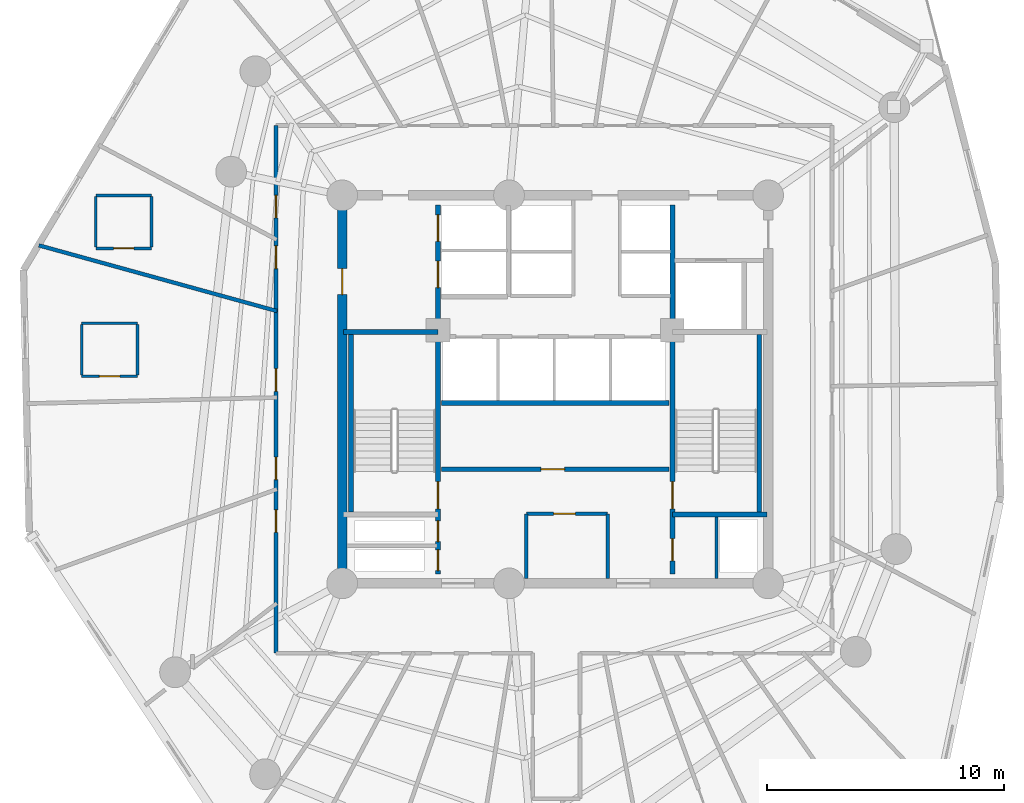
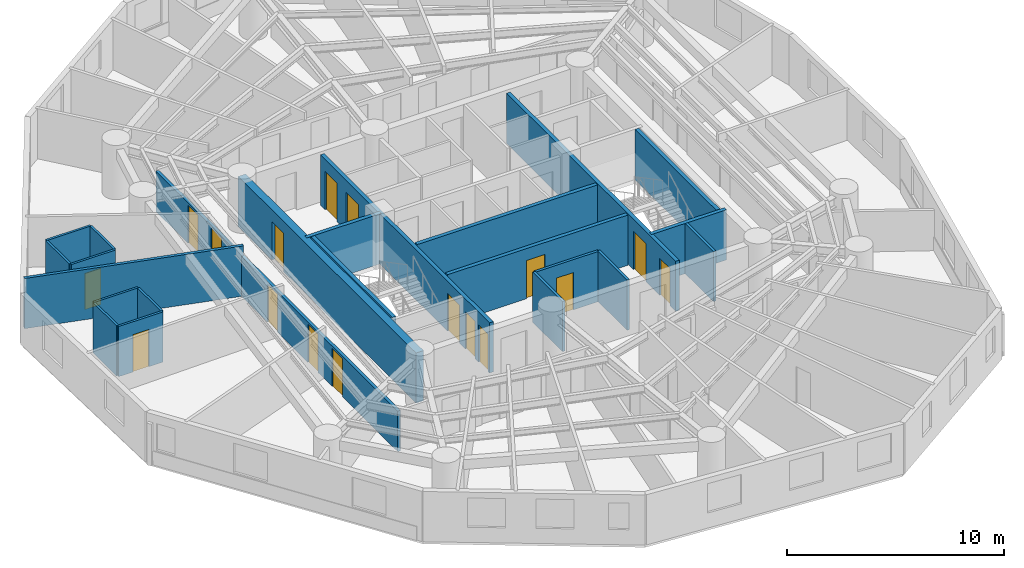
# One storey, part 4 of 9: 23 walls, 17 doors, 17 openings.
"""IFC4 building model written with IfcOpenShell, lengths in metres."""

from ifc_helpers import new_model, si_unit, direction, frame, frame_2d, origin, origin_with_axes, place, context, subcontext, project, spatial, rectangle, extrude, source, transform, mapped, material, layer, layer_set, type_object, element, fill, save


model = new_model("IFC4")

# Units and contexts
model_context = context("Model", 3, precision=1e-05, world=origin(), true_north=direction((0.0, 1.0)))
body_context = subcontext(model_context, "Body", "Model", "MODEL_VIEW")
ifc_project = project(units=[si_unit("LENGTHUNIT", "METRE"), si_unit("AREAUNIT", "SQUARE_METRE"), si_unit("VOLUMEUNIT", "CUBIC_METRE"), si_unit("PLANEANGLEUNIT", "RADIAN"), si_unit("MASSUNIT", "GRAM", prefix="KILO")], contexts=[model_context])

# Site, building, storey
site_placement = place(None, origin())
site = spatial("IfcSite", under=ifc_project, at=site_placement, CompositionType="ELEMENT")
building_placement = place(site_placement, origin())
building = spatial("IfcBuilding", under=site, at=building_placement, Name="Karkom Vertical University and Central Library", CompositionType="ELEMENT")
storey_placement = place(building_placement, frame((0.0, 0.0, 190.10009765625)))
storey = spatial("IfcBuildingStorey", under=building, at=storey_placement, Name="L55", CompositionType="ELEMENT", Elevation=190.10009765625)

# Wall, openings, doors
ifc_material_1 = material(Name="Insulated metal-stud drywall 160mm", Category="gypsum")
ifc_layer_1 = layer(ifc_material_1, 0.159912109375)
ifc_layer_set_1 = layer_set([ifc_layer_1], Name="Insulated metal-stud drywall 160mm")
wall_type_1 = type_object("IfcWallType", Name="INT-WL-COR-160", PredefinedType="PARTITIONING", material=ifc_layer_set_1)
wall_1_placement = place(storey_placement, frame((16.699951171875, 15.35009765625, 0.0), z_axis=(0.0, 0.0, 1.0), x_axis=(0.0, 1.0, 0.0)))
wall_1 = element("IfcWall", 1, at=wall_1_placement, inside=storey, type_object=wall_type_1, Name="Level 55 Interior Partition Wall L55-CORW-CW-002", PredefinedType="PARTITIONING", context=body_context, shape_type="SweptSolid", body=[
    extrude(rectangle(XDim=22.2998046875, YDim=0.159912109375, at=frame_2d((11.14990234375, 0.0))), origin(), (0.0, 0.0, 1.0), 2.27490234375),
])
opening_1_placement = place(wall_1_placement, frame((16.25, 0.0, 0.0)))
opening_1 = element("IfcOpeningElement", 2, at=opening_1_placement, cuts=wall_1, Name="Opening FD-RM2", PredefinedType="OPENING", context=body_context, shape_type="SweptSolid", body=[
    extrude(rectangle(XDim=0.9599609375, YDim=2.14990234375, at=frame_2d((0.47998046875, 1.074951171875))), frame((0.0, 0.08984375, 0.0), z_axis=(0.0, -1.0, 0.0), x_axis=(1.0, 0.0, 0.0)), (0.0, 0.0, 1.0), 0.179931640625),
])
opening_2_placement = place(wall_1_placement, frame((11.06494140625, 0.0, 0.0)))
opening_2 = element("IfcOpeningElement", 3, at=opening_2_placement, cuts=wall_1, Name="Opening FD-RM2", PredefinedType="OPENING", context=body_context, shape_type="SweptSolid", body=[
    extrude(rectangle(XDim=0.9599609375, YDim=2.14990234375, at=frame_2d((0.47998046875, 1.074951171875))), frame((0.0, 0.08984375, 0.0), z_axis=(0.0, -1.0, 0.0), x_axis=(1.0, 0.0, 0.0)), (0.0, 0.0, 1.0), 0.179931640625),
])
opening_3_placement = place(wall_1_placement, frame((7.330078125, 0.0, 0.0)))
opening_3 = element("IfcOpeningElement", 4, at=opening_3_placement, cuts=wall_1, Name="Opening FD-RM2", PredefinedType="OPENING", context=body_context, shape_type="SweptSolid", body=[
    extrude(rectangle(XDim=0.9599609375, YDim=2.14990234375, at=frame_2d((0.47998046875, 1.074951171875))), frame((0.0, 0.08984375, 0.0), z_axis=(0.0, -1.0, 0.0), x_axis=(1.0, 0.0, 0.0)), (0.0, 0.0, 1.0), 0.179931640625),
])
opening_4_placement = place(wall_1_placement, frame((5.10009765625, 0.0, 0.0)))
opening_4 = element("IfcOpeningElement", 5, at=opening_4_placement, cuts=wall_1, Name="Opening FD-RM2", PredefinedType="OPENING", context=body_context, shape_type="SweptSolid", body=[
    extrude(rectangle(XDim=0.9599609375, YDim=2.14990234375, at=frame_2d((0.47998046875, 1.074951171875))), frame((0.0, 0.08984375, 0.0), z_axis=(0.0, -1.0, 0.0), x_axis=(1.0, 0.0, 0.0)), (0.0, 0.0, 1.0), 0.179931640625),
])
opening_5_placement = place(wall_1_placement, frame((18.392333984375, 0.0, 0.0)))
opening_5 = element("IfcOpeningElement", 6, at=opening_5_placement, cuts=wall_1, Name="Opening FD-RM2", PredefinedType="OPENING", context=body_context, shape_type="SweptSolid", body=[
    extrude(rectangle(XDim=0.9599609375, YDim=2.14990234375, at=frame_2d((0.47998046875, 1.074951171875))), frame((0.0, 0.08984375, 0.0), z_axis=(0.0, -1.0, 0.0), x_axis=(1.0, 0.0, 0.0)), (0.0, 0.0, 1.0), 0.179931640625),
])
ifc_material_2 = material(Name="Fire-rated oak veneer door", Category="wood")
door_type_1 = type_object("IfcDoorType", Name="INT-DR-FRM2", OperationType="NOTDEFINED", PredefinedType="DOOR", material=ifc_material_2)
shared_shape_1 = source(origin_with_axes(), body_context, "Body", "SweptSolid", [
    extrude(rectangle(XDim=0.9599609375, YDim=2.14990234375, at=frame_2d((0.47998046875, 1.074951171875))), frame((0.0, 0.02490234375, 0.0), z_axis=(0.0, -1.0, 0.0), x_axis=(1.0, 0.0, 0.0)), (0.0, 0.0, 1.0), 0.050048828125),
])
door_1_placement = place(opening_1_placement, origin())
door_1 = element("IfcDoor", 7, at=door_1_placement, inside=storey, type_object=door_type_1, Name="Level 55 Room Entry Door 250", OperationType="SINGLE_SWING_LEFT", OverallHeight=2.14990234375, OverallWidth=0.9599609375, PredefinedType="DOOR", context=body_context, shape_type="MappedRepresentation", body=[
    mapped(shared_shape_1, transform((0.0, 0.0, 0.0), scale=1.0)),
])
fill(opening_1, door_1)
door_2_placement = place(opening_2_placement, origin())
door_2 = element("IfcDoor", 8, at=door_2_placement, inside=storey, type_object=door_type_1, Name="Level 55 Room Entry Door 260", OperationType="SINGLE_SWING_LEFT", OverallHeight=2.14990234375, OverallWidth=0.9599609375, PredefinedType="DOOR", context=body_context, shape_type="MappedRepresentation", body=[
    mapped(shared_shape_1, transform((0.0, 0.0, 0.0), scale=1.0)),
])
fill(opening_2, door_2)
door_3_placement = place(opening_3_placement, origin())
door_3 = element("IfcDoor", 9, at=door_3_placement, inside=storey, type_object=door_type_1, Name="Level 55 Room Entry Door 001", OperationType="SINGLE_SWING_RIGHT", OverallHeight=2.14990234375, OverallWidth=0.9599609375, PredefinedType="DOOR", context=body_context, shape_type="MappedRepresentation", body=[
    mapped(shared_shape_1, transform((0.0, 0.0, 0.0), scale=1.0)),
])
fill(opening_3, door_3)
door_4_placement = place(opening_4_placement, origin())
door_4 = element("IfcDoor", 10, at=door_4_placement, inside=storey, type_object=door_type_1, Name="Level 55 Room Entry Door 011", OperationType="SINGLE_SWING_LEFT", OverallHeight=2.14990234375, OverallWidth=0.9599609375, PredefinedType="DOOR", context=body_context, shape_type="MappedRepresentation", body=[
    mapped(shared_shape_1, transform((0.0, 0.0, 0.0), scale=1.0)),
])
fill(opening_4, door_4)
door_5_placement = place(opening_5_placement, origin())
door_5 = element("IfcDoor", 11, at=door_5_placement, inside=storey, type_object=door_type_1, Name="Level 55 Room Entry Door 241", OperationType="SINGLE_SWING_RIGHT", OverallHeight=2.14990234375, OverallWidth=0.9599609375, PredefinedType="DOOR", context=body_context, shape_type="MappedRepresentation", body=[
    mapped(shared_shape_1, transform((0.0, 0.0, 0.0), scale=1.0)),
])
fill(opening_5, door_5)

# Wall
wall_2_placement = place(storey_placement, frame((16.743408203125, 29.807373046875, 0.0), z_axis=(0.0, 0.0, 1.0), x_axis=(-0.963952503932, 0.266074369611, 0.0)))
element("IfcWall", 12, at=wall_2_placement, inside=storey, type_object=wall_type_1, Name="Level 55 Interior Partition Wall L55-PW-033", PredefinedType="PARTITIONING", context=body_context, shape_type="SweptSolid", body=[
    extrude(rectangle(XDim=10.43994140625, YDim=0.159912109375, at=frame_2d((5.219970703125, 0.0))), origin(), (0.0, 0.0, 1.0), 2.824951171875),
])

# Wall, opening, door
ifc_material_3 = material(Name="Moisture-resistant drywall 120mm", Category="gypsum")
ifc_layer_2 = layer(ifc_material_3, 0.1201171875)
ifc_layer_set_2 = layer_set([ifc_layer_2], Name="Moisture-resistant drywall 120mm")
wall_type_2 = type_object("IfcWallType", Name="INT-WL-INT-120F", PredefinedType="PARTITIONING", material=ifc_layer_set_2)
wall_3_placement = place(storey_placement, frame((9.0859375, 32.45703125, 0.0), z_axis=(0.0, 0.0, 1.0), x_axis=(1.0, 0.0, 0.0)))
wall_3 = element("IfcWall", 13, at=wall_3_placement, inside=storey, type_object=wall_type_2, Name="Level 55 Interior Partition Wall L55-ENS-25-S", PredefinedType="PARTITIONING", context=body_context, shape_type="SweptSolid", body=[
    extrude(rectangle(XDim=2.360107421875, YDim=0.1201171875, at=frame_2d((1.18017578125, 0.0))), origin(), (0.0, 0.0, 1.0), 2.824951171875),
])
opening_6_placement = place(wall_3_placement, frame((0.75, 0.0, 0.0)))
opening_6 = element("IfcOpeningElement", 14, at=opening_6_placement, cuts=wall_3, Name="Opening D-BTH2", PredefinedType="OPENING", context=body_context, shape_type="SweptSolid", body=[
    extrude(rectangle(XDim=0.860107421875, YDim=2.0400390625, at=frame_2d((0.43017578125, 1.02001953125))), frame((0.0, 0.070068359375, 0.0), z_axis=(0.0, -1.0, 0.0), x_axis=(1.0, 0.0, 0.0)), (0.0, 0.0, 1.0), 0.14013671875),
])
ifc_material_4 = material(Name="Moisture-resistant oak door", Category="wood")
door_type_2 = type_object("IfcDoorType", Name="INT-DR-DBTH2", OperationType="NOTDEFINED", PredefinedType="DOOR", material=ifc_material_4)
shared_shape_2 = source(origin_with_axes(), body_context, "Body", "SweptSolid", [
    extrude(rectangle(XDim=0.860107421875, YDim=2.0400390625, at=frame_2d((0.43017578125, 1.02001953125))), frame((0.0, 0.02490234375, 0.0), z_axis=(0.0, -1.0, 0.0), x_axis=(1.0, 0.0, 0.0)), (0.0, 0.0, 1.0), 0.050048828125),
])
door_6_placement = place(opening_6_placement, origin())
door_6 = element("IfcDoor", 15, at=door_6_placement, inside=storey, type_object=door_type_2, Name="Level 55 En-Suite Bathroom Door 25", OperationType="SINGLE_SWING_RIGHT", OverallHeight=2.0400390625, OverallWidth=0.860107421875, PredefinedType="DOOR", context=body_context, shape_type="MappedRepresentation", body=[
    mapped(shared_shape_2, transform((0.0, 0.0, 0.0), scale=1.0)),
])
fill(opening_6, door_6)

# Wall
wall_4_placement = place(storey_placement, frame((11.446044921875, 34.697021484375, 0.0), z_axis=(0.0, 0.0, 1.0), x_axis=(-1.0, 0.0, 0.0)))
element("IfcWall", 16, at=wall_4_placement, inside=storey, type_object=wall_type_2, Name="Level 55 Interior Partition Wall L55-ENS-25-N", PredefinedType="PARTITIONING", context=body_context, shape_type="SweptSolid", body=[
    extrude(rectangle(XDim=2.360107421875, YDim=0.1201171875, at=frame_2d((1.18017578125, 0.0))), origin(), (0.0, 0.0, 1.0), 2.824951171875),
])

# Wall, opening, door
wall_5_placement = place(storey_placement, frame((8.489990234375, 27.054931640625, 0.0), z_axis=(0.0, 0.0, 1.0), x_axis=(1.0, 0.0, 0.0)))
wall_5 = element("IfcWall", 17, at=wall_5_placement, inside=storey, type_object=wall_type_2, Name="Level 55 Interior Partition Wall L55-ENS-26-S", PredefinedType="PARTITIONING", context=body_context, shape_type="SweptSolid", body=[
    extrude(rectangle(XDim=2.360107421875, YDim=0.1201171875, at=frame_2d((1.18017578125, 0.0))), origin(), (0.0, 0.0, 1.0), 2.824951171875),
])
opening_7_placement = place(wall_5_placement, frame((0.75, 0.0, 0.0)))
opening_7 = element("IfcOpeningElement", 18, at=opening_7_placement, cuts=wall_5, Name="Opening D-BATH", PredefinedType="OPENING", context=body_context, shape_type="SweptSolid", body=[
    extrude(rectangle(XDim=0.860107421875, YDim=2.10009765625, at=frame_2d((0.43017578125, 1.050048828125))), frame((0.0, 0.070068359375, 0.0), z_axis=(0.0, -1.0, 0.0), x_axis=(1.0, 0.0, 0.0)), (0.0, 0.0, 1.0), 0.14013671875),
])
door_type_3 = type_object("IfcDoorType", Name="INT-DR-BATH", OperationType="NOTDEFINED", PredefinedType="DOOR", material=ifc_material_4)
shared_shape_3 = source(origin_with_axes(), body_context, "Body", "SweptSolid", [
    extrude(rectangle(XDim=0.860107421875, YDim=2.10009765625, at=frame_2d((0.43017578125, 1.050048828125))), frame((0.0, 0.02490234375, 0.0), z_axis=(0.0, -1.0, 0.0), x_axis=(1.0, 0.0, 0.0)), (0.0, 0.0, 1.0), 0.050048828125),
])
door_7_placement = place(opening_7_placement, origin())
door_7 = element("IfcDoor", 19, at=door_7_placement, inside=storey, type_object=door_type_3, Name="Level 55 En-Suite Bathroom Door 26", OperationType="SINGLE_SWING_RIGHT", OverallHeight=2.10009765625, OverallWidth=0.860107421875, PredefinedType="DOOR", context=body_context, shape_type="MappedRepresentation", body=[
    mapped(shared_shape_3, transform((0.0, 0.0, 0.0), scale=1.0)),
])
fill(opening_7, door_7)

# Walls
wall_6_placement = place(storey_placement, frame((10.85009765625, 29.294921875, 0.0), z_axis=(0.0, 0.0, 1.0), x_axis=(-1.0, 0.0, 0.0)))
element("IfcWall", 20, at=wall_6_placement, inside=storey, type_object=wall_type_2, Name="Level 55 Interior Partition Wall L55-ENS-26-N", PredefinedType="PARTITIONING", context=body_context, shape_type="SweptSolid", body=[
    extrude(rectangle(XDim=2.360107421875, YDim=0.1201171875, at=frame_2d((1.18017578125, 0.0))), origin(), (0.0, 0.0, 1.0), 2.824951171875),
])
for number, where, z_axis, x_axis, name in (
    (21, (11.446044921875, 32.507080078125, 0.0), (0.0, 0.0, 1.0), (0.0, 1.0, 0.0), "Level 55 Interior Partition Wall L55-ENS-25-E"),
    (22, (9.0859375, 34.64697265625, 0.0), (0.0, 0.0, 1.0), (0.0, -1.0, 0.0), "Level 55 Interior Partition Wall L55-ENS-25-W"),
):
    element("IfcWall", number, at=place(storey_placement, frame(where, z_axis=z_axis, x_axis=x_axis)), inside=storey, type_object=wall_type_2, Name=name, PredefinedType="PARTITIONING", context=body_context, shape_type="SweptSolid", body=[
        extrude(rectangle(XDim=2.139892578125, YDim=0.1201171875, at=frame_2d((1.06982421875, 0.0))), origin(), (0.0, 0.0, 1.0), 2.824951171875),
    ])
for number, where, z_axis, x_axis, name in (
    (23, (10.85009765625, 27.10498046875, 0.0), (0.0, 0.0, 1.0), (0.0, 1.0, 0.0), "Level 55 Interior Partition Wall L55-ENS-26-E"),
    (24, (8.489990234375, 29.2451171875, 0.0), (0.0, 0.0, 1.0), (0.0, -1.0, 0.0), "Level 55 Interior Partition Wall L55-ENS-26-W"),
):
    element("IfcWall", number, at=place(storey_placement, frame(where, z_axis=z_axis, x_axis=x_axis)), inside=storey, type_object=wall_type_2, Name=name, PredefinedType="PARTITIONING", context=body_context, shape_type="SweptSolid", body=[
        extrude(rectangle(XDim=2.14013671875, YDim=0.1201171875, at=frame_2d((1.070068359375, 0.0))), origin(), (0.0, 0.0, 1.0), 2.824951171875),
    ])

# Wall, opening, door
ifc_material_5 = material(Name="Metal-stud gypsum partition 140mm", Category="gypsum")
ifc_layer_3 = layer(ifc_material_5, 0.139892578125)
ifc_layer_set_3 = layer_set([ifc_layer_3], Name="Metal-stud gypsum partition 140mm")
wall_type_3 = type_object("IfcWallType", Name="INT-WL-SUB-140", PredefinedType="PARTITIONING", material=ifc_layer_set_3)
wall_7_placement = place(storey_placement, frame((27.280029296875, 21.239990234375, 0.0), z_axis=(0.0, 0.0, 1.0), x_axis=(1.0, 0.0, 0.0)))
wall_7 = element("IfcWall", 25, at=wall_7_placement, inside=storey, type_object=wall_type_3, Name="Level 55 Interior Partition Wall L55-CW-KBAY-N", PredefinedType="PARTITIONING", context=body_context, shape_type="SweptSolid", body=[
    extrude(rectangle(XDim=3.43994140625, YDim=0.139892578125, at=frame_2d((1.719970703125, 0.0))), origin(), (0.0, 0.0, 1.0), 2.824951171875),
])
opening_8_placement = place(wall_7_placement, frame((1.14990234375, 0.0, 0.0)))
opening_8 = element("IfcOpeningElement", 26, at=opening_8_placement, cuts=wall_7, Name="Opening D-SVC1", PredefinedType="OPENING", context=body_context, shape_type="SweptSolid", body=[
    extrude(rectangle(XDim=0.919921875, YDim=2.10009765625, at=frame_2d((0.4599609375, 1.050048828125))), frame((0.0, 0.080078125, 0.0), z_axis=(0.0, -1.0, 0.0), x_axis=(1.0, 0.0, 0.0)), (0.0, 0.0, 1.0), 0.159912109375),
])
ifc_material_6 = material(Name="Painted timber service door", Category="wood")
door_type_4 = type_object("IfcDoorType", Name="INT-DR-SVC1", OperationType="NOTDEFINED", PredefinedType="DOOR", material=ifc_material_6)
shared_shape_4 = source(origin_with_axes(), body_context, "Body", "SweptSolid", [
    extrude(rectangle(XDim=0.919921875, YDim=2.10009765625, at=frame_2d((0.4599609375, 1.050048828125))), frame((0.0, 0.02490234375, 0.0), z_axis=(0.0, -1.0, 0.0), x_axis=(1.0, 0.0, 0.0)), (0.0, 0.0, 1.0), 0.050048828125),
])
door_8_placement = place(opening_8_placement, origin())
door_8 = element("IfcDoor", 27, at=door_8_placement, inside=storey, type_object=door_type_4, Name="Level 55 Comms Room Door", OperationType="SINGLE_SWING_LEFT", OverallHeight=2.10009765625, OverallWidth=0.919921875, PredefinedType="DOOR", context=body_context, shape_type="MappedRepresentation", body=[
    mapped(shared_shape_4, transform((0.0, 0.0, 0.0), scale=1.0)),
])
fill(opening_8, door_8)

# Walls
for number, where, z_axis, x_axis, name in (
    (28, (27.280029296875, 18.507080078125, 0.0), (0.0, 0.0, 1.0), (0.0, 1.0, 0.0), "Level 55 Interior Partition Wall L55-CW-KBAY-W"),
    (29, (30.719970703125, 18.507080078125, 0.0), (0.0, 0.0, 1.0), (0.0, 1.0, 0.0), "Level 55 Interior Partition Wall L55-CW-KBAY-E"),
):
    element("IfcWall", number, at=place(storey_placement, frame(where, z_axis=z_axis, x_axis=x_axis)), inside=storey, type_object=wall_type_3, Name=name, PredefinedType="PARTITIONING", context=body_context, shape_type="SweptSolid", body=[
        extrude(rectangle(XDim=2.73291015625, YDim=0.139892578125, at=frame_2d((1.366455078125, 0.0))), origin(), (0.0, 0.0, 1.0), 2.824951171875),
    ])
ifc_layer_4 = layer(ifc_material_5, 0.139892578125)
ifc_layer_set_4 = layer_set([ifc_layer_4], Name="Metal-stud gypsum partition 140mm")
wall_type_4 = type_object("IfcWallType", Name="INT-WL-SUB-140H", PredefinedType="PARTITIONING", material=ifc_layer_set_4)
wall_8_placement = place(storey_placement, frame((35.320068359375, 18.507080078125, 0.0), z_axis=(0.0, 0.0, 1.0), x_axis=(0.0, 1.0, 0.0)))
element("IfcWall", 30, at=wall_8_placement, inside=storey, type_object=wall_type_4, Name="Level 55 Interior Partition Wall L55-CW-RIS-E", PredefinedType="PARTITIONING", context=body_context, shape_type="SweptSolid", body=[
    extrude(rectangle(XDim=2.603759765625, YDim=0.139892578125, at=frame_2d((1.3017578125, 0.0))), origin(), (0.0, 0.0, 1.0), 2.824951171875),
])

# Wall, opening, door
ifc_material_7 = material(Name="Concrete C50/60", Category="concrete")
ifc_layer_5 = layer(ifc_material_7, 0.39990234375)
ifc_layer_set_5 = layer_set([ifc_layer_5], Name="Concrete C50/60")
wall_type_5 = type_object("IfcWallType", Name="STR-WL-CW-400", PredefinedType="SHEAR", material=ifc_layer_set_5)
wall_9_placement = place(storey_placement, frame((19.5, 34.699951171875, 0.0), z_axis=(0.0, 0.0, 1.0), x_axis=(0.0, -1.0, 0.0)))
wall_9 = element("IfcWall", 31, at=wall_9_placement, inside=storey, type_object=wall_type_5, Name="Level 55 Central Core Shear Wall WW", PredefinedType="SHEAR", context=body_context, shape_type="SweptSolid", body=[
    extrude(rectangle(XDim=16.39990234375, YDim=0.39990234375, at=frame_2d((8.199951171875, 0.0))), origin(), (0.0, 0.0, 1.0), 2.824951171875),
])
opening_9_placement = place(wall_9_placement, frame((3.10009765625, 0.0, 0.0)))
opening_9 = element("IfcOpeningElement", 32, at=opening_9_placement, cuts=wall_9, Name="Opening FD-FFL", PredefinedType="OPENING", context=body_context, shape_type="SweptSolid", body=[
    extrude(rectangle(XDim=1.10009765625, YDim=2.14990234375, at=frame_2d((0.550048828125, 1.074951171875))), frame((0.0, 0.2099609375, 0.0), z_axis=(0.0, -1.0, 0.0), x_axis=(1.0, 0.0, 0.0)), (0.0, 0.0, 1.0), 0.419921875),
])
ifc_material_8 = material(Name="Painted steel smoke-seal fire door", Category="steel")
door_type_5 = type_object("IfcDoorType", Name="INT-DR-FFL", OperationType="NOTDEFINED", PredefinedType="DOOR", material=ifc_material_8)
shared_shape_5 = source(origin_with_axes(), body_context, "Body", "SweptSolid", [
    extrude(rectangle(XDim=1.10009765625, YDim=2.14990234375, at=frame_2d((0.550048828125, 1.074951171875))), frame((0.0, 0.02490234375, 0.0), z_axis=(0.0, -1.0, 0.0), x_axis=(1.0, 0.0, 0.0)), (0.0, 0.0, 1.0), 0.050048828125),
])
door_9_placement = place(opening_9_placement, origin())
door_9 = element("IfcDoor", 33, at=door_9_placement, inside=storey, type_object=door_type_5, Name="Level 55 West Corridor Firefighting Lobby Door", OperationType="SINGLE_SWING_LEFT", OverallHeight=2.14990234375, OverallWidth=1.10009765625, PredefinedType="DOOR", context=body_context, shape_type="MappedRepresentation", body=[
    mapped(shared_shape_5, transform((0.0, 0.0, 0.0), scale=1.0)),
])
fill(opening_9, door_9)

# Wall, openings, doors
ifc_material_9 = material(Name="Concrete C45/55", Category="concrete")
ifc_layer_6 = layer(ifc_material_9, 0.199951171875)
ifc_layer_set_6 = layer_set([ifc_layer_6], Name="Concrete C45/55")
wall_type_6 = type_object("IfcWallType", Name="STR-WL-ST-200", PredefinedType="SHEAR", material=ifc_layer_set_6)
wall_10_placement = place(storey_placement, frame((23.544921875, 18.699951171875, 0.0), z_axis=(0.0, 0.0, 1.0), x_axis=(0.0, 1.0, 0.0)))
wall_10 = element("IfcWall", 34, at=wall_10_placement, inside=storey, type_object=wall_type_6, Name="Level 55 Core Shaft Wall L55-CW-ST1-E", PredefinedType="SHEAR", context=body_context, shape_type="SweptSolid", body=[
    extrude(rectangle(XDim=15.60009765625, YDim=0.199951171875, at=frame_2d((7.800048828125, 0.0))), origin(), (0.0, 0.0, 1.0), 2.824951171875),
])
opening_10_placement = place(wall_10_placement, frame((2.75, 0.0, 0.0)))
opening_10 = element("IfcOpeningElement", 35, at=opening_10_placement, cuts=wall_10, Name="Opening FD-ST1", PredefinedType="OPENING", context=body_context, shape_type="SweptSolid", body=[
    extrude(rectangle(XDim=1.14990234375, YDim=2.14990234375, at=frame_2d((0.574951171875, 1.074951171875))), frame((0.0, 0.10986328125, 0.0), z_axis=(0.0, -1.0, 0.0), x_axis=(1.0, 0.0, 0.0)), (0.0, 0.0, 1.0), 0.219970703125),
])
opening_11_placement = place(wall_10_placement, frame((0.139892578125, 0.0, 0.0)))
opening_11 = element("IfcOpeningElement", 36, at=opening_11_placement, cuts=wall_10, Name="Opening FD-RIS", PredefinedType="OPENING", context=body_context, shape_type="SweptSolid", body=[
    extrude(rectangle(XDim=0.8798828125, YDim=2.10009765625, at=frame_2d((0.43994140625, 1.050048828125))), frame((0.0, 0.10986328125, 0.0), z_axis=(0.0, -1.0, 0.0), x_axis=(1.0, 0.0, 0.0)), (0.0, 0.0, 1.0), 0.219970703125),
])
opening_12_placement = place(wall_10_placement, frame((1.360107421875, 0.0, 0.0)))
opening_12 = element("IfcOpeningElement", 37, at=opening_12_placement, cuts=wall_10, Name="Opening FD-RIS", PredefinedType="OPENING", context=body_context, shape_type="SweptSolid", body=[
    extrude(rectangle(XDim=0.8798828125, YDim=2.10009765625, at=frame_2d((0.43994140625, 1.050048828125))), frame((0.0, 0.10986328125, 0.0), z_axis=(0.0, -1.0, 0.0), x_axis=(1.0, 0.0, 0.0)), (0.0, 0.0, 1.0), 0.219970703125),
])
opening_13_placement = place(wall_10_placement, frame((12.10009765625, 0.0, 0.0)))
opening_13 = element("IfcOpeningElement", 38, at=opening_13_placement, cuts=wall_10, Name="Opening LD-FFL", PredefinedType="OPENING", context=body_context, shape_type="SweptSolid", body=[
    extrude(rectangle(XDim=1.1201171875, YDim=2.14990234375, at=frame_2d((0.56005859375, 1.074951171875))), frame((0.0, 0.10986328125, 0.0), z_axis=(0.0, -1.0, 0.0), x_axis=(1.0, 0.0, 0.0)), (0.0, 0.0, 1.0), 0.219970703125),
])
opening_14_placement = place(wall_10_placement, frame((14.050048828125, 0.0, 0.0)))
opening_14 = element("IfcOpeningElement", 39, at=opening_14_placement, cuts=wall_10, Name="Opening LD-FFL", PredefinedType="OPENING", context=body_context, shape_type="SweptSolid", body=[
    extrude(rectangle(XDim=1.1201171875, YDim=2.14990234375, at=frame_2d((0.56005859375, 1.074951171875))), frame((0.0, 0.10986328125, 0.0), z_axis=(0.0, -1.0, 0.0), x_axis=(1.0, 0.0, 0.0)), (0.0, 0.0, 1.0), 0.219970703125),
])
ifc_material_10 = material(Name="Painted steel acoustic fire door", Category="steel")
door_type_6 = type_object("IfcDoorType", Name="INT-DR-ST1", OperationType="NOTDEFINED", PredefinedType="DOOR", material=ifc_material_10)
shared_shape_6 = source(origin_with_axes(), body_context, "Body", "SweptSolid", [
    extrude(rectangle(XDim=1.14990234375, YDim=2.14990234375, at=frame_2d((0.574951171875, 1.074951171875))), frame((0.0, 0.02490234375, 0.0), z_axis=(0.0, -1.0, 0.0), x_axis=(1.0, 0.0, 0.0)), (0.0, 0.0, 1.0), 0.050048828125),
])
door_10_placement = place(opening_10_placement, origin())
door_10 = element("IfcDoor", 40, at=door_10_placement, inside=storey, type_object=door_type_6, Name="Level 55 Stair ST-1 Fire Door", OperationType="SINGLE_SWING_RIGHT", OverallHeight=2.14990234375, OverallWidth=1.14990234375, PredefinedType="DOOR", context=body_context, shape_type="MappedRepresentation", body=[
    mapped(shared_shape_6, transform((0.0, 0.0, 0.0), scale=1.0)),
])
fill(opening_10, door_10)
ifc_material_11 = material(Name="Painted steel riser access door", Category="steel")
door_type_7 = type_object("IfcDoorType", Name="INT-DR-RIS", OperationType="NOTDEFINED", PredefinedType="DOOR", material=ifc_material_11)
shared_shape_7 = source(origin_with_axes(), body_context, "Body", "SweptSolid", [
    extrude(rectangle(XDim=0.8798828125, YDim=2.10009765625, at=frame_2d((0.43994140625, 1.050048828125))), frame((0.0, 0.02490234375, 0.0), z_axis=(0.0, -1.0, 0.0), x_axis=(1.0, 0.0, 0.0)), (0.0, 0.0, 1.0), 0.050048828125),
])
door_11_placement = place(opening_11_placement, origin())
door_11 = element("IfcDoor", 41, at=door_11_placement, inside=storey, type_object=door_type_7, Name="Level 55 Electrical Riser Access Door", OperationType="SINGLE_SWING_RIGHT", OverallHeight=2.10009765625, OverallWidth=0.8798828125, PredefinedType="DOOR", context=body_context, shape_type="MappedRepresentation", body=[
    mapped(shared_shape_7, transform((0.0, 0.0, 0.0), scale=1.0)),
])
fill(opening_11, door_11)
door_12_placement = place(opening_12_placement, origin())
door_12 = element("IfcDoor", 42, at=door_12_placement, inside=storey, type_object=door_type_7, Name="Level 55 Telecom Riser Access Door", OperationType="SINGLE_SWING_LEFT", OverallHeight=2.10009765625, OverallWidth=0.8798828125, PredefinedType="DOOR", context=body_context, shape_type="MappedRepresentation", body=[
    mapped(shared_shape_7, transform((0.0, 0.0, 0.0), scale=1.0)),
])
fill(opening_12, door_12)
ifc_material_12 = material(Name="Fire-rated stainless-steel landing door", Category="steel")
door_type_8 = type_object("IfcDoorType", Name="INT-DR-LD-FFL", OperationType="SLIDING_TO_LEFT", PredefinedType="DOOR", material=ifc_material_12)
shared_shape_8 = source(origin_with_axes(), body_context, "Body", "SweptSolid", [
    extrude(rectangle(XDim=1.1201171875, YDim=2.14990234375, at=frame_2d((0.56005859375, 1.074951171875))), frame((0.0, 0.02490234375, 0.0), z_axis=(0.0, -1.0, 0.0), x_axis=(1.0, 0.0, 0.0)), (0.0, 0.0, 1.0), 0.050048828125),
])
door_13_placement = place(opening_13_placement, origin())
door_13 = element("IfcDoor", 43, at=door_13_placement, inside=storey, type_object=door_type_8, Name="Level 55 Firefighting Lift FFL-1 Landing Door", OperationType="SLIDING_TO_LEFT", OverallHeight=2.14990234375, OverallWidth=1.1201171875, PredefinedType="DOOR", context=body_context, shape_type="MappedRepresentation", body=[
    mapped(shared_shape_8, transform((0.0, 0.0, 0.0), scale=1.0)),
])
fill(opening_13, door_13)
door_14_placement = place(opening_14_placement, origin())
door_14 = element("IfcDoor", 44, at=door_14_placement, inside=storey, type_object=door_type_8, Name="Level 55 Firefighting Lift FFL-2 Landing Door", OperationType="SLIDING_TO_RIGHT", OverallHeight=2.14990234375, OverallWidth=1.1201171875, PredefinedType="DOOR", context=body_context, shape_type="MappedRepresentation", body=[
    mapped(shared_shape_8, transform((0.0, 0.0, 0.0), scale=1.0)),
])
fill(opening_14, door_14)

wall_11_placement = place(storey_placement, frame((33.455078125, 18.699951171875, 0.0), z_axis=(0.0, 0.0, 1.0), x_axis=(0.0, 1.0, 0.0)))
wall_11 = element("IfcWall", 45, at=wall_11_placement, inside=storey, type_object=wall_type_6, Name="Level 55 Core Shaft Wall L55-CW-ST2-W", PredefinedType="SHEAR", context=body_context, shape_type="SweptSolid", body=[
    extrude(rectangle(XDim=15.60009765625, YDim=0.199951171875, at=frame_2d((7.800048828125, 0.0))), origin(), (0.0, 0.0, 1.0), 2.824951171875),
])
opening_15_placement = place(wall_11_placement, frame((2.75, 0.0, 0.0)))
opening_15 = element("IfcOpeningElement", 46, at=opening_15_placement, cuts=wall_11, Name="Opening FD-ST1", PredefinedType="OPENING", context=body_context, shape_type="SweptSolid", body=[
    extrude(rectangle(XDim=1.14990234375, YDim=2.14990234375, at=frame_2d((0.574951171875, 1.074951171875))), frame((0.0, 0.10986328125, 0.0), z_axis=(0.0, -1.0, 0.0), x_axis=(1.0, 0.0, 0.0)), (0.0, 0.0, 1.0), 0.219970703125),
])
opening_16_placement = place(wall_11_placement, frame((0.550048828125, 0.0, 0.0)))
opening_16 = element("IfcOpeningElement", 47, at=opening_16_placement, cuts=wall_11, Name="Opening D-WC1", PredefinedType="OPENING", context=body_context, shape_type="SweptSolid", body=[
    extrude(rectangle(XDim=0.93994140625, YDim=2.10009765625, at=frame_2d((0.469970703125, 1.050048828125))), frame((0.0, 0.10986328125, 0.0), z_axis=(0.0, -1.0, 0.0), x_axis=(1.0, 0.0, 0.0)), (0.0, 0.0, 1.0), 0.219970703125),
])
door_15_placement = place(opening_15_placement, origin())
door_15 = element("IfcDoor", 48, at=door_15_placement, inside=storey, type_object=door_type_6, Name="Level 55 Stair ST-2 Fire Door", OperationType="SINGLE_SWING_LEFT", OverallHeight=2.14990234375, OverallWidth=1.14990234375, PredefinedType="DOOR", context=body_context, shape_type="MappedRepresentation", body=[
    mapped(shared_shape_6, transform((0.0, 0.0, 0.0), scale=1.0)),
])
fill(opening_15, door_15)
ifc_material_13 = material(Name="Fire-rated laminate moisture-resistant door", Category="wood")
door_type_9 = type_object("IfcDoorType", Name="INT-DR-WC1", OperationType="NOTDEFINED", PredefinedType="DOOR", material=ifc_material_13)
shared_shape_9 = source(origin_with_axes(), body_context, "Body", "SweptSolid", [
    extrude(rectangle(XDim=0.93994140625, YDim=2.10009765625, at=frame_2d((0.469970703125, 1.050048828125))), frame((0.0, 0.02490234375, 0.0), z_axis=(0.0, -1.0, 0.0), x_axis=(1.0, 0.0, 0.0)), (0.0, 0.0, 1.0), 0.050048828125),
])
door_16_placement = place(opening_16_placement, origin())
door_16 = element("IfcDoor", 49, at=door_16_placement, inside=storey, type_object=door_type_9, Name="Level 55 Accessible WC Door", OperationType="SINGLE_SWING_RIGHT", OverallHeight=2.10009765625, OverallWidth=0.93994140625, PredefinedType="DOOR", context=body_context, shape_type="MappedRepresentation", body=[
    mapped(shared_shape_9, transform((0.0, 0.0, 0.0), scale=1.0)),
])
fill(opening_16, door_16)

# Wall, opening, door
wall_12_placement = place(storey_placement, frame((23.699951171875, 23.1201171875, 0.0), z_axis=(0.0, 0.0, 1.0), x_axis=(1.0, 0.0, 0.0)))
wall_12 = element("IfcWall", 50, at=wall_12_placement, inside=storey, type_object=wall_type_6, Name="Level 55 Core Shaft Wall L55-CW-B1-S", PredefinedType="SHEAR", context=body_context, shape_type="SweptSolid", body=[
    extrude(rectangle(XDim=9.60009765625, YDim=0.199951171875, at=frame_2d((4.800048828125, 0.0))), origin(), (0.0, 0.0, 1.0), 2.824951171875),
])
opening_17_placement = place(wall_12_placement, frame((4.199951171875, 0.0, 0.0)))
opening_17 = element("IfcOpeningElement", 51, at=opening_17_placement, cuts=wall_12, Name="Opening D-STR1", PredefinedType="OPENING", context=body_context, shape_type="SweptSolid", body=[
    extrude(rectangle(XDim=1.0, YDim=2.14990234375, at=frame_2d((0.5, 1.074951171875))), frame((0.0, 0.10986328125, 0.0), z_axis=(0.0, -1.0, 0.0), x_axis=(1.0, 0.0, 0.0)), (0.0, 0.0, 1.0), 0.219970703125),
])
ifc_material_14 = material(Name="Solid-core hardwood fire door", Category="wood")
door_type_10 = type_object("IfcDoorType", Name="INT-DR-STR1", OperationType="NOTDEFINED", PredefinedType="DOOR", material=ifc_material_14)
shared_shape_10 = source(origin_with_axes(), body_context, "Body", "SweptSolid", [
    extrude(rectangle(XDim=1.0, YDim=2.14990234375, at=frame_2d((0.5, 1.074951171875))), frame((0.0, 0.02490234375, 0.0), z_axis=(0.0, -1.0, 0.0), x_axis=(1.0, 0.0, 0.0)), (0.0, 0.0, 1.0), 0.050048828125),
])
door_17_placement = place(opening_17_placement, origin())
door_17 = element("IfcDoor", 52, at=door_17_placement, inside=storey, type_object=door_type_10, Name="Level 55 Campus Digital Archive Store Door", OperationType="SINGLE_SWING_RIGHT", OverallHeight=2.14990234375, OverallWidth=1.0, PredefinedType="DOOR", context=body_context, shape_type="MappedRepresentation", body=[
    mapped(shared_shape_10, transform((0.0, 0.0, 0.0), scale=1.0)),
])
fill(opening_17, door_17)

# Walls
wall_13_placement = place(storey_placement, frame((23.699951171875, 25.919921875, 0.0), z_axis=(0.0, 0.0, 1.0), x_axis=(1.0, 0.0, 0.0)))
element("IfcWall", 53, at=wall_13_placement, inside=storey, type_object=wall_type_6, Name="Level 55 Core Shaft Wall L55-CW-B1-N", PredefinedType="SHEAR", context=body_context, shape_type="SweptSolid", body=[
    extrude(rectangle(XDim=9.60009765625, YDim=0.199951171875, at=frame_2d((4.800048828125, 0.0))), origin(), (0.0, 0.0, 1.0), 2.824951171875),
])
for number, where, z_axis, x_axis, name in (
    (54, (19.875, 21.320068359375, 0.0), (0.0, 0.0, 1.0), (0.0, 1.0, 0.0), "Level 55 Core Shaft Wall L55-CW-ST1-W"),
    (55, (37.125, 21.320068359375, 0.0), (0.0, 0.0, 1.0), (0.0, 1.0, 0.0), "Level 55 Core Shaft Wall L55-CW-ST2-E"),
):
    element("IfcWall", number, at=place(storey_placement, frame(where, z_axis=z_axis, x_axis=x_axis)), inside=storey, type_object=wall_type_6, Name=name, PredefinedType="SHEAR", context=body_context, shape_type="SweptSolid", body=[
        extrude(rectangle(XDim=7.5, YDim=0.199951171875, at=frame_2d((3.75, 0.0))), origin(), (0.0, 0.0, 1.0), 2.824951171875),
    ])
for number, where, z_axis, x_axis, name in (
    (56, (33.455078125, 21.215087890625, 0.0), (0.0, 0.0, 1.0), (1.0, 0.0, 0.0), "Level 55 Core Shaft Wall L55-CW-ST2-S"),
    (57, (19.550048828125, 28.925048828125, 0.0), (0.0, 0.0, 1.0), (1.0, 0.0, 0.0), "Level 55 Core Shaft Wall L55-CW-ST1-N"),
):
    element("IfcWall", number, at=place(storey_placement, frame(where, z_axis=z_axis, x_axis=x_axis)), inside=storey, type_object=wall_type_6, Name=name, PredefinedType="SHEAR", context=body_context, shape_type="SweptSolid", body=[
        extrude(rectangle(XDim=3.994873046875, YDim=0.199951171875, at=frame_2d((1.99755859375, 0.0))), origin(), (0.0, 0.0, 1.0), 2.824951171875),
    ])

save(model, "model.ifc")
